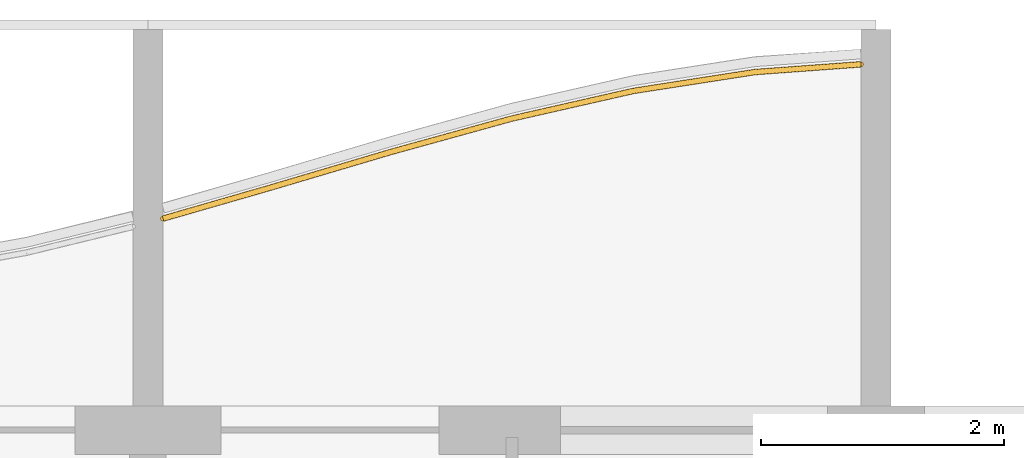
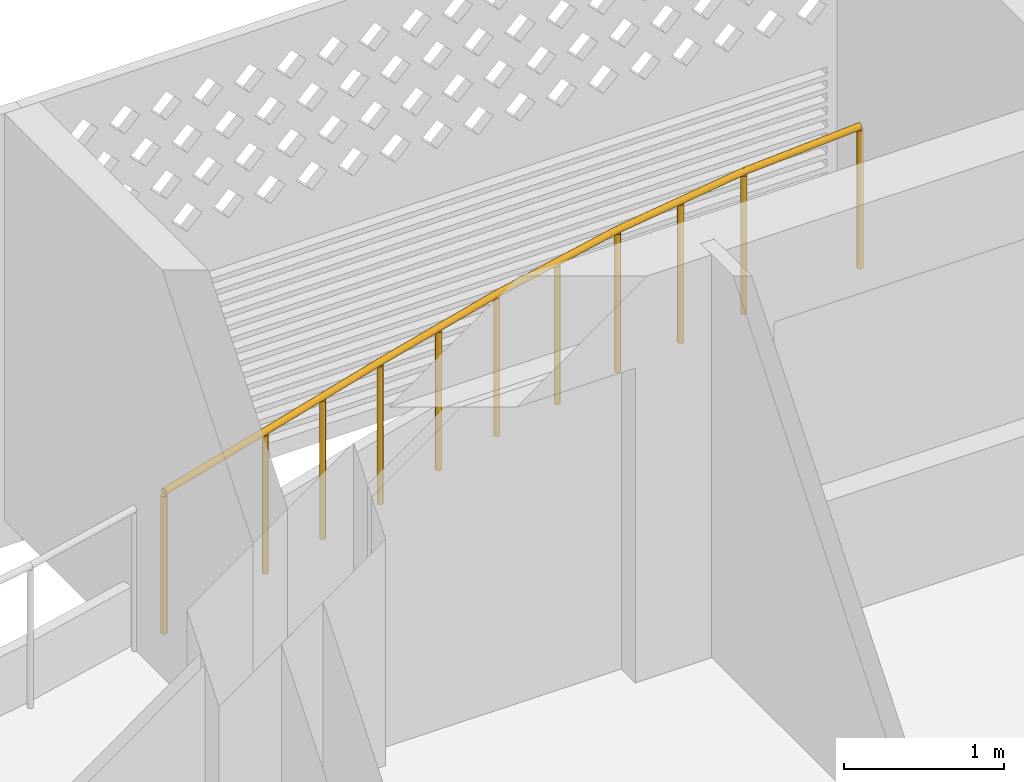
# One storey, part 24 of 33: 1 railing.
"""IFC4 building model written with IfcOpenShell, lengths in metres."""

from ifc_helpers import new_model, si_unit, direction, frame, origin, origin_2d, place, context, subcontext, project, spatial, circle, extrude, material, type_object, element, save


model = new_model("IFC4")

# Units and contexts
model_context = context("Model", 3, precision=1e-05, world=origin(), true_north=direction((0.0, 1.0)))
body_context = subcontext(model_context, "Body", "Model", "MODEL_VIEW")
ifc_project = project(units=[si_unit("LENGTHUNIT", "METRE"), si_unit("AREAUNIT", "SQUARE_METRE"), si_unit("VOLUMEUNIT", "CUBIC_METRE"), si_unit("PLANEANGLEUNIT", "RADIAN"), si_unit("MASSUNIT", "GRAM", prefix="KILO")], contexts=[model_context])

# Site, building, storey
site_placement = place(None, origin())
site = spatial("IfcSite", under=ifc_project, at=site_placement, CompositionType="ELEMENT")
building_placement = place(site_placement, origin())
building = spatial("IfcBuilding", under=site, at=building_placement, Name="Poui Terraces", CompositionType="ELEMENT")
storey_placement = place(building_placement, frame((0.0, 0.0, 135.60009765625)))
storey = spatial("IfcBuildingStorey", under=building, at=storey_placement, Name="L37", CompositionType="ELEMENT", Elevation=135.60009765625)

# Railing
ifc_material = material(Name="Painted steel fretwork", Category="steel")
railing_type = type_object("IfcRailingType", Name="BALCONY GUARD 1100", PredefinedType="GUARDRAIL", material=ifc_material)
railing_placement = place(storey_placement, frame((42.125, 44.143798828125, 0.0)))
element("IfcRailing", 1, at=railing_placement, inside=storey, type_object=railing_type, Name="BALCONY GUARD", PredefinedType="GUARDRAIL", context=body_context, shape_type="SweptSolid", body=[
    extrude(circle(Radius=0.02392578125, at=origin_2d()), frame((0.0, 0.0, 1.076171875), z_axis=(0.960955301601, 0.276703647113, 0.0), x_axis=(-0.276703647113, 0.960955301601, 0.0)), (0.0, 0.0, 1.0), 0.91064453125),
    extrude(circle(Radius=0.02392578125, at=origin_2d()), frame((0.875, 0.251953125, 1.076171875), z_axis=(0.958774495191, 0.284168026651, 0.0), x_axis=(-0.284168026651, 0.958774495191, 0.0)), (0.0, 0.0, 1.0), 1.04296875),
    extrude(circle(Radius=0.02392578125, at=origin_2d()), frame((1.875, 0.54833984375, 1.076171875), z_axis=(0.963928100541, 0.26616276409, 0.0), x_axis=(-0.26616276409, 0.963928100541, 0.0)), (0.0, 0.0, 1.0), 1.037353515625),
    extrude(circle(Radius=0.02392578125, at=origin_2d()), frame((2.875, 0.824462890625, 1.076171875), z_axis=(0.975128178395, 0.221641683127, 0.0), x_axis=(-0.221641683127, 0.975128178395, 0.0)), (0.0, 0.0, 1.0), 1.025390625),
    extrude(circle(Radius=0.02392578125, at=origin_2d()), frame((3.875, 1.0517578125, 1.076171875), z_axis=(0.9881587723, 0.153434809371, 0.0), x_axis=(-0.153434809371, 0.9881587723, 0.0)), (0.0, 0.0, 1.0), 1.011962890625),
    extrude(circle(Radius=0.02392578125, at=origin_2d()), frame((4.875, 1.20703125, 1.076171875), z_axis=(0.997338661105, 0.07290812757, 0.0), x_axis=(-0.07290812757, 0.997338661105, 0.0)), (0.0, 0.0, 1.0), 0.87744140625),
    extrude(circle(Radius=0.02099609375, at=origin_2d()), origin(), (0.0, 0.0, 1.0), 1.052001953125),
    extrude(circle(Radius=0.02099609375, at=origin_2d()), frame((0.875, 0.251953125, 0.0)), (0.0, 0.0, 1.0), 1.052001953125),
    extrude(circle(Radius=0.02099609375, at=origin_2d()), frame((1.375, 0.400146484375, 0.0)), (0.0, 0.0, 1.0), 1.052001953125),
    extrude(circle(Radius=0.02099609375, at=origin_2d()), frame((1.875, 0.54833984375, 0.0)), (0.0, 0.0, 1.0), 1.052001953125),
    extrude(circle(Radius=0.02099609375, at=origin_2d()), frame((2.375, 0.6865234375, 0.0)), (0.0, 0.0, 1.0), 1.052001953125),
    extrude(circle(Radius=0.02099609375, at=origin_2d()), frame((2.875, 0.824462890625, 0.0)), (0.0, 0.0, 1.0), 1.052001953125),
    extrude(circle(Radius=0.02099609375, at=origin_2d()), frame((3.375, 0.93798828125, 0.0)), (0.0, 0.0, 1.0), 1.052001953125),
    extrude(circle(Radius=0.02099609375, at=origin_2d()), frame((3.875, 1.0517578125, 0.0)), (0.0, 0.0, 1.0), 1.052001953125),
    extrude(circle(Radius=0.02099609375, at=origin_2d()), frame((4.375, 1.12939453125, 0.0)), (0.0, 0.0, 1.0), 1.052001953125),
    extrude(circle(Radius=0.02099609375, at=origin_2d()), frame((4.875, 1.20703125, 0.0)), (0.0, 0.0, 1.0), 1.052001953125),
    extrude(circle(Radius=0.02099609375, at=origin_2d()), frame((5.75, 1.27099609375, 0.0)), (0.0, 0.0, 1.0), 1.052001953125),
])

save(model, "model.ifc")
